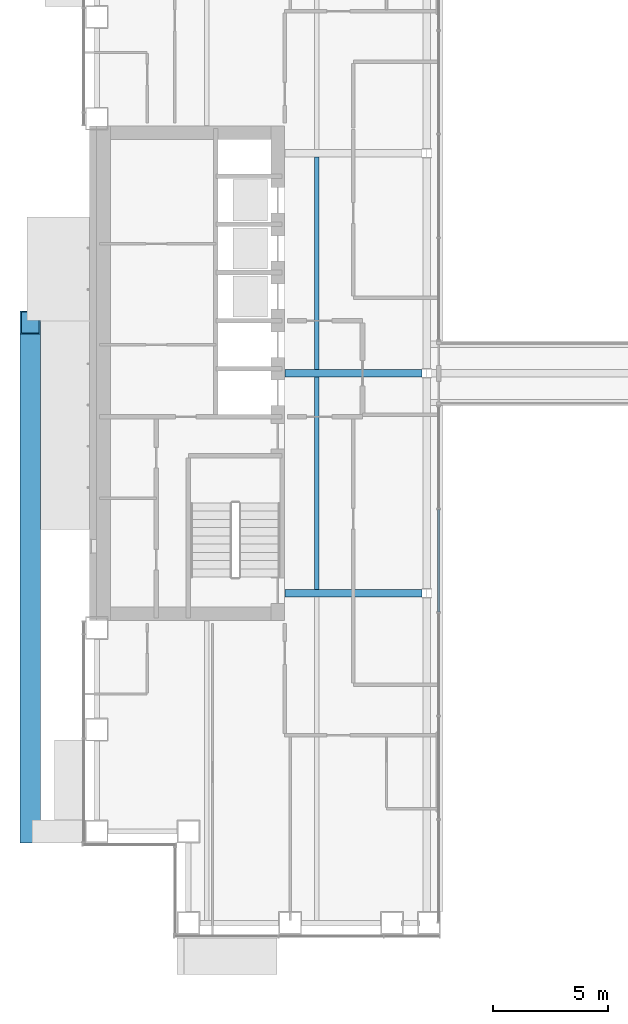
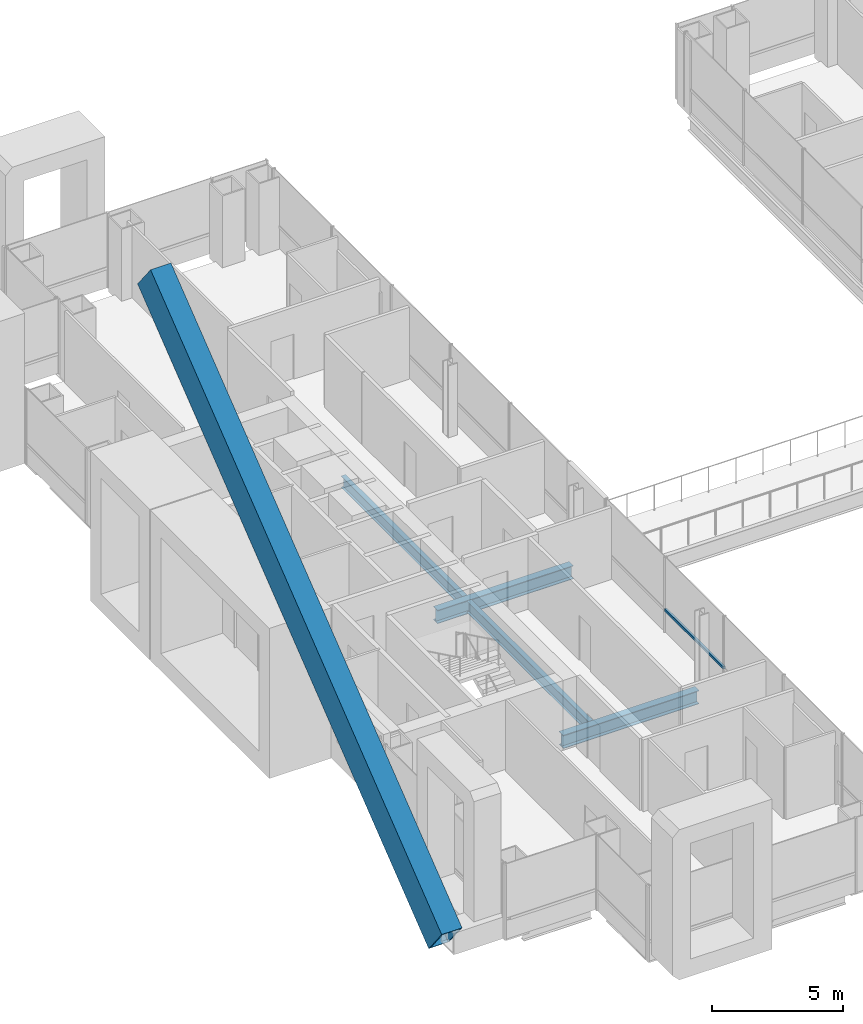
# One storey, part 3 of 26: 4 beams, 2 members, 1 element without a shape of its own.
"""IFC4 building model written with IfcOpenShell, lengths in metres."""

from ifc_helpers import new_model, si_unit, direction, frame, origin, origin_2d, place, context, subcontext, project, spatial, rectangle, hollow_rectangle, i_section, extrude, material, material_profile, profile_set, type_object, element, aggregate, save


model = new_model("IFC4")

# Units and contexts
model_context = context("Model", 3, precision=1e-05, world=origin(), true_north=direction((0.0, 1.0)))
body_context = subcontext(model_context, "Body", "Model", "MODEL_VIEW")
ifc_project = project(units=[si_unit("LENGTHUNIT", "METRE"), si_unit("AREAUNIT", "SQUARE_METRE"), si_unit("VOLUMEUNIT", "CUBIC_METRE"), si_unit("PLANEANGLEUNIT", "RADIAN"), si_unit("MASSUNIT", "GRAM", prefix="KILO")], contexts=[model_context])

# Site, building, storey
site_placement = place(None, origin())
site = spatial("IfcSite", under=ifc_project, at=site_placement, CompositionType="ELEMENT")
building_placement = place(site_placement, origin())
building = spatial("IfcBuilding", under=site, at=building_placement, Name="Cobrizo Arcos Hotel Tower", CompositionType="ELEMENT")
storey_placement = place(building_placement, frame((0.0, 0.0, 67.0)))
storey = spatial("IfcBuildingStorey", under=building, at=storey_placement, Name="L15", CompositionType="ELEMENT", Elevation=67.0)

# Member
ifc_material_1 = material(Name="Steel ASTM A572 Grade 50", Category="steel")
ifc_material_profile_1 = material_profile(ifc_material_1, hollow_rectangle(XDim=0.89990234375, YDim=1.60009765625, WallThickness=0.070068359375, at=origin_2d()), Name="BOX 900X1600X70")
ifc_profile_set_1 = profile_set([ifc_material_profile_1], Name="Steel ASTM A572 Grade 50")
member_type_1 = type_object("IfcMemberType", Name="BOX 900X1600X70 perimeter brace", PredefinedType="BRACE", material=ifc_profile_set_1)
member_1_placement = place(storey_placement, frame((-26.89990234375, -20.0, 0.5), z_axis=(0.0, 0.785635580491, 0.618689530109), x_axis=(-1.0, 0.0, 0.0)))
element("IfcMember", 1, at=member_1_placement, inside=storey, type_object=member_type_1, Name="Perimeter brace PBR1, zone Z1, west face, no. 04", PredefinedType="BRACE", context=body_context, shape_type="SweptSolid", body=[
    extrude(hollow_rectangle(XDim=0.89990234375, YDim=1.60009765625, WallThickness=0.070068359375, at=origin_2d()), origin(), (0.0, 0.0, 1.0), 28.28564453125),
])

# Curtain wall, member
ifc_material_2 = material(Name="Aluminium 6063-T6 anodised bronze", Category="aluminium")
curtain_wall_type = type_object("IfcCurtainWallType", Name="CW-F void screen", PredefinedType="NOTDEFINED", material=ifc_material_2)
curtain_wall_placement = place(storey_placement, origin())
curtain_wall = element("IfcCurtainWall", 2, at=curtain_wall_placement, inside=storey, type_object=curtain_wall_type, Name="CW-F L15 void screen A", PredefinedType="NOTDEFINED")
ifc_material_profile_2 = material_profile(ifc_material_2, rectangle(XDim=0.10009765625, YDim=0.1201171875, at=origin_2d()), Name="CW-F transom 120x100")
ifc_profile_set_2 = profile_set([ifc_material_profile_2], Name="Aluminium 6063-T6 anodised bronze")
member_type_2 = type_object("IfcMemberType", Name="CW-F transom 120x100", PredefinedType="USERDEFINED", material=ifc_profile_set_2)
member_2_placement = place(storey_placement, frame((-9.074951171875, -5.949951171875, 1.050048828125), z_axis=(0.0, -1.0, 0.0), x_axis=(1.0, 0.0, 0.0)))
member_2 = element("IfcMember", 3, at=member_2_placement, type_object=member_type_2, Name="CW-F transom 2484", ObjectType="TRANSOM", PredefinedType="USERDEFINED", context=body_context, shape_type="SweptSolid", body=[
    extrude(rectangle(XDim=0.10009765625, YDim=0.1201171875, at=origin_2d()), origin(), (0.0, 0.0, 1.0), 4.4599609375),
])
aggregate(curtain_wall, [member_2])

# Beams
ifc_material_3 = material(Name="Steel ASTM A992 Grade 50", Category="steel")
ifc_material_profile_3 = material_profile(ifc_material_3, i_section(OverallWidth=0.209228515625, OverallDepth=0.533447265625, WebThickness=0.01025390625, FlangeThickness=0.015625, at=origin_2d()), Name="W21X62")
ifc_profile_set_3 = profile_set([ifc_material_profile_3], Name="Steel ASTM A992 Grade 50")
beam_type_1 = type_object("IfcBeamType", Name="W21X62 joist", PredefinedType="JOIST", material=ifc_profile_set_3)
for number, where, z_axis, x_axis, name in (
    (4, (-14.39990234375, -9.43603515625, -0.416748046875), (0.0, 1.0, 0.0), (-1.0, 0.0, 0.0), "Floor joist J1, L15, no. 004"),
    (5, (-14.39990234375, 0.163818359375, -0.416748046875), (0.0, 1.0, 0.0), (-1.0, 0.0, 0.0), "Floor joist J1, L15, no. 005"),
):
    element("IfcBeam", number, at=place(storey_placement, frame(where, z_axis=z_axis, x_axis=x_axis)), inside=storey, type_object=beam_type_1, Name=name, PredefinedType="JOIST", context=body_context, shape_type="SweptSolid", body=[
        extrude(i_section(OverallWidth=0.209228515625, OverallDepth=0.533447265625, WebThickness=0.01025390625, FlangeThickness=0.015625, at=origin_2d()), origin(), (0.0, 0.0, 1.0), 9.272216796875),
    ])
ifc_material_profile_4 = material_profile(ifc_material_3, i_section(OverallWidth=0.32763671875, OverallDepth=0.622314453125, WebThickness=0.015380859375, FlangeThickness=0.0244140625, at=origin_2d()), Name="W24X131")
ifc_profile_set_4 = profile_set([ifc_material_profile_4], Name="Steel ASTM A992 Grade 50")
beam_type_2 = type_object("IfcBeamType", Name="W24X131 girder", PredefinedType="BEAM", material=ifc_profile_set_4)
for number, where, z_axis, x_axis, name in (
    (6, (-15.7900390625, -9.60009765625, -0.461181640625), (1.0, 0.0, 0.0), (0.0, 1.0, 0.0), "Floor girder G1, L15, no. 001"),
    (7, (-15.7900390625, 0.0, -0.461181640625), (1.0, 0.0, 0.0), (0.0, 1.0, 0.0), "Floor girder G1, L15, no. 003"),
):
    element("IfcBeam", number, at=place(storey_placement, frame(where, z_axis=z_axis, x_axis=x_axis)), inside=storey, type_object=beam_type_2, Name=name, PredefinedType="BEAM", context=body_context, shape_type="SweptSolid", body=[
        extrude(i_section(OverallWidth=0.32763671875, OverallDepth=0.622314453125, WebThickness=0.015380859375, FlangeThickness=0.0244140625, at=origin_2d()), origin(), (0.0, 0.0, 1.0), 5.985595703125),
    ])

save(model, "model.ifc")
